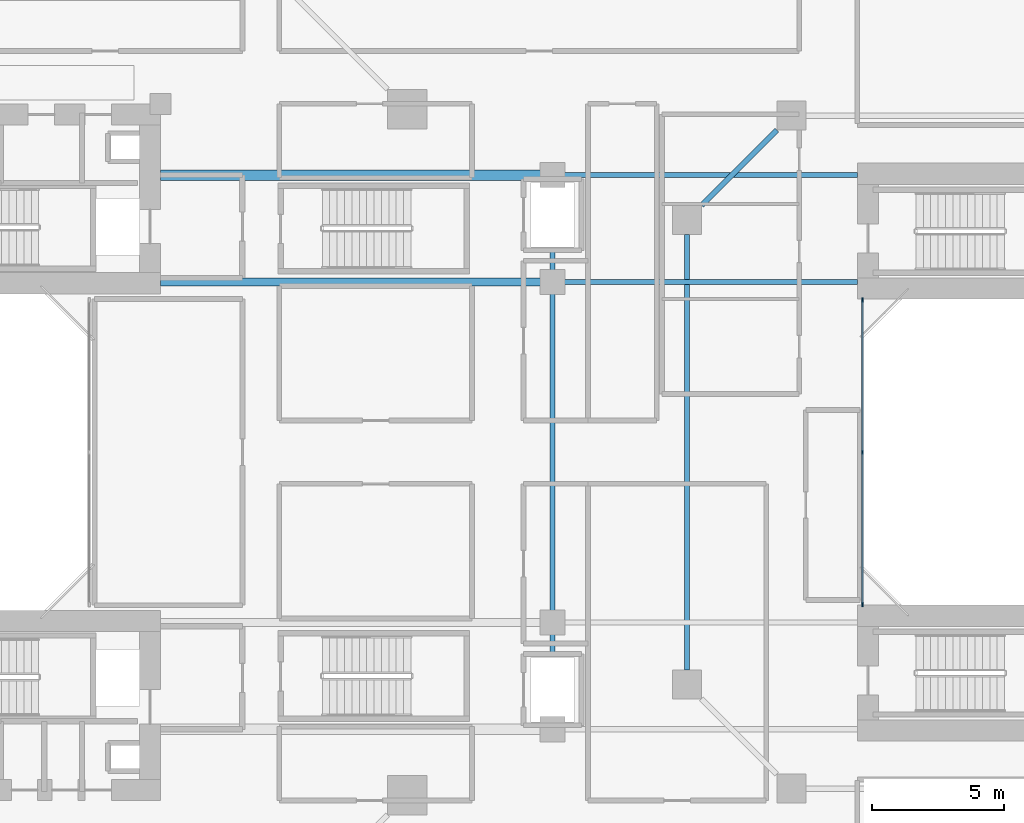
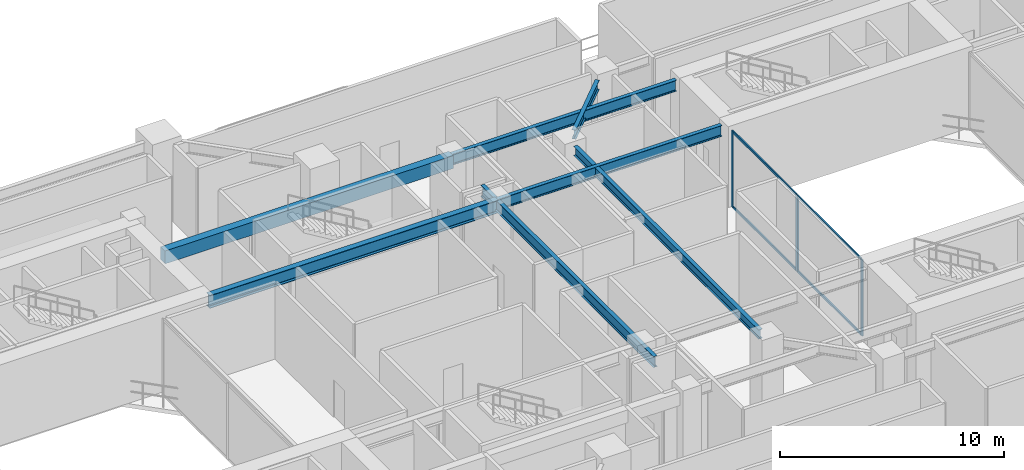
# One storey, part 6 of 20: 7 beams, 7 members, 1 element without a shape of its own.
"""IFC4 building model written with IfcOpenShell, lengths in metres."""

import ifcopenshell
import ifcopenshell.guid

model = None  # the IFC model being written
_history = None  # IfcOwnerHistory: only IFC2X3 demands one
_inside = {}  # id of a spatial element -> (the spatial element, [elements in it])
_under = {}  # id of a project, library or spatial element -> (it, [spatial elements below it])
_declared = {}  # id of a project -> (the project, [libraries it declares])
_typed = {}  # id of a type object -> (the type object, [elements of that type])
_made_of = {}  # id of a material, layer set ... -> (it, [elements and type objects made of it])


def new_model(schema):
    """Start an empty IFC model of exactly this schema.

    Asked for "IFC4X3", IfcOpenShell would pick the latest addendum, in which some entities
    have other attributes; the version numbers below select the first issue.
    IFC2X3 requires an IfcOwnerHistory on every rooted entity: one is made here for all.
    """
    global model, _history
    if schema == "IFC4X3":
        model = ifcopenshell.file(schema_version=(4, 3, 0, 0))
    else:
        model = ifcopenshell.file(schema=schema)
    _inside.clear()
    _under.clear()
    _declared.clear()
    _typed.clear()
    _made_of.clear()
    _history = None
    if model.schema == "IFC2X3":
        org = make("IfcOrganization", Name="unknown")
        user = make(
            "IfcPersonAndOrganization",
            ThePerson=make("IfcPerson", FamilyName="unknown"),
            TheOrganization=org,
        )
        app = make(
            "IfcApplication",
            ApplicationDeveloper=org,
            Version="unknown",
            ApplicationFullName="unknown",
            ApplicationIdentifier="unknown",
        )
        _history = make(
            "IfcOwnerHistory",
            OwningUser=user,
            OwningApplication=app,
            ChangeAction="ADDED",
            CreationDate=0,
        )
    return model


def make(cls, **values):
    """One entity of the class cls with the attributes given. An attribute that is None is left unset."""
    return model.create_entity(
        cls, **{name: value for name, value in values.items() if value is not None}
    )


def rooted(cls, **values):
    """An entity with a GlobalId (a new one), such as an element, a storey or a relation."""
    return make(cls, GlobalId=ifcopenshell.guid.new(), OwnerHistory=_history, **values)


def si_unit(unit_type, name, prefix=None):
    """IfcSIUnit, for example si_unit("LENGTHUNIT", "METRE", prefix="MILLI")."""
    return make("IfcSIUnit", UnitType=unit_type, Prefix=prefix, Name=name)


def assignment(units):
    """IfcUnitAssignment: the units of a project."""
    return None if units is None else make("IfcUnitAssignment", Units=units)


def point(xyz):
    """IfcCartesianPoint."""
    return None if xyz is None else make("IfcCartesianPoint", Coordinates=xyz)


def direction(xyz):
    """IfcDirection."""
    return None if xyz is None else make("IfcDirection", DirectionRatios=xyz)


def frame(location, z_axis=None, x_axis=None):
    """IfcAxis2Placement3D, a coordinate frame: its origin and axes. An axis left out is left unset."""
    return make(
        "IfcAxis2Placement3D",
        Location=point(location),
        Axis=direction(z_axis),
        RefDirection=direction(x_axis),
    )


def frame_2d(location, x_axis=None):
    """IfcAxis2Placement2D, a coordinate frame in the plane: its origin and x axis."""
    return make(
        "IfcAxis2Placement2D", Location=point(location), RefDirection=direction(x_axis)
    )


def origin():
    """The frame at (0, 0, 0) with its axes left unset."""
    return frame((0.0, 0.0, 0.0))


def origin_2d():
    """The frame at (0, 0) in the plane with its x axis left unset."""
    return frame_2d((0.0, 0.0))


def place(relative_to, where):
    """IfcLocalPlacement: puts the frame where relative to a parent placement (None: the world)."""
    return make(
        "IfcLocalPlacement", PlacementRelTo=relative_to, RelativePlacement=where
    )


def context(
    kind, dimensions, precision=None, world=None, true_north=None, identifier=None
):
    """IfcGeometricRepresentationContext, for example the 3D "Model" context."""
    return make(
        "IfcGeometricRepresentationContext",
        ContextIdentifier=identifier,
        ContextType=kind,
        CoordinateSpaceDimension=dimensions,
        Precision=precision,
        WorldCoordinateSystem=world,
        TrueNorth=true_north,
    )


def subcontext(parent, identifier, kind, view, scale=None):
    """IfcGeometricRepresentationSubContext, for example "Body" below "Model"."""
    return make(
        "IfcGeometricRepresentationSubContext",
        ContextIdentifier=identifier,
        ContextType=kind,
        ParentContext=parent,
        TargetScale=scale,
        TargetView=view,
    )


def project(units=None, contexts=None):
    """IfcProject with its units and contexts."""
    return rooted(
        "IfcProject",
        Name="project",
        RepresentationContexts=contexts,
        UnitsInContext=assignment(units),
    )


def spatial(cls, under=None, at=None, **own):
    """A site, building, storey or space (cls), placed at a placement, below another one or the project."""
    s = rooted(cls, ObjectPlacement=at, **own)
    if under is not None:
        _under.setdefault(under.id(), (under, []))[1].append(s)
    return s


def profile(cls, at=None, kind="AREA", **sizes):
    """A parametric profile (cls). Its sizes go by their IFC names, for example OverallWidth=200.0."""
    return make(cls, ProfileType=kind, Position=at, **sizes)


def rectangle(**sizes):
    """IfcRectangleProfileDef."""
    return profile("IfcRectangleProfileDef", **sizes)


def i_section(**sizes):
    """IfcIShapeProfileDef."""
    return profile("IfcIShapeProfileDef", **sizes)


def extrude(swept, where, along, depth):
    """IfcExtrudedAreaSolid: the profile swept, set in the frame where, extruded along a direction by depth."""
    return make(
        "IfcExtrudedAreaSolid",
        SweptArea=swept,
        Position=where,
        ExtrudedDirection=direction(along),
        Depth=depth,
    )


def shape(context_of_items, identifier, shape_type, items):
    """IfcShapeRepresentation: the items that make up one representation, for example the "Body"."""
    return make(
        "IfcShapeRepresentation",
        ContextOfItems=context_of_items,
        RepresentationIdentifier=identifier,
        RepresentationType=shape_type,
        Items=items,
    )


def source(mapping_origin, context_of_items, identifier, shape_type, items):
    """IfcRepresentationMap: a shape defined once, which mapped items show again and again."""
    return make(
        "IfcRepresentationMap",
        MappingOrigin=mapping_origin,
        MappedRepresentation=shape(context_of_items, identifier, shape_type, items),
    )


def transform(
    local_origin,
    x_axis=None,
    y_axis=None,
    z_axis=None,
    scale=None,
    scale2=None,
    scale3=None,
    uniform=True,
):
    """IfcCartesianTransformationOperator3D, or its non-uniform kind. x_axis, y_axis, z_axis: its Axis1, 2, 3."""
    if uniform:
        return make(
            "IfcCartesianTransformationOperator3D",
            Axis1=direction(x_axis),
            Axis2=direction(y_axis),
            LocalOrigin=point(local_origin),
            Scale=scale,
            Axis3=direction(z_axis),
        )
    return make(
        "IfcCartesianTransformationOperator3DnonUniform",
        Axis1=direction(x_axis),
        Axis2=direction(y_axis),
        LocalOrigin=point(local_origin),
        Scale=scale,
        Axis3=direction(z_axis),
        Scale2=scale2,
        Scale3=scale3,
    )


def mapped(mapping_source, mapping_target):
    """IfcMappedItem: shows the shape of a source again, moved by a transform."""
    return make(
        "IfcMappedItem", MappingSource=mapping_source, MappingTarget=mapping_target
    )


def material(Name=None, Category=None):
    """IfcMaterial."""
    return make("IfcMaterial", Name=Name, Category=Category)


def layer(
    of_material, thickness, ventilated=None, Name=None, Category=None, Priority=None
):
    """IfcMaterialLayer: one layer of a wall or slab, of a material (None: an air gap)."""
    return make(
        "IfcMaterialLayer",
        Material=of_material,
        LayerThickness=thickness,
        IsVentilated=ventilated,
        Name=Name,
        Category=Category,
        Priority=Priority,
    )


def layer_set(layers, Name=None):
    """IfcMaterialLayerSet."""
    return make("IfcMaterialLayerSet", MaterialLayers=layers, LayerSetName=Name)


def material_profile(
    of_material, cross_section, Name=None, Category=None, Priority=None
):
    """IfcMaterialProfile: a cross section and its material."""
    return make(
        "IfcMaterialProfile",
        Name=Name,
        Material=of_material,
        Profile=cross_section,
        Priority=Priority,
        Category=Category,
    )


def profile_set(profiles, Name=None, composite=None):
    """IfcMaterialProfileSet."""
    return make(
        "IfcMaterialProfileSet",
        Name=Name,
        MaterialProfiles=profiles,
        CompositeProfile=composite,
    )


def made_of(thing, what):
    """Note that an element or type object is made of a material, layer set ...; save() writes the relation."""
    if what is not None:
        _made_of.setdefault(what.id(), (what, []))[1].append(thing)
    return thing


def type_object(cls, material=None, **own):
    """A type object (cls), such as IfcWallType, which elements share."""
    return made_of(rooted(cls, **own), material)


def element(
    cls,
    number,
    at=None,
    inside=None,
    cuts=None,
    type_object=None,
    material=None,
    context=None,
    identifier="Body",
    shape_type=None,
    held_by="IfcProductDefinitionShape",
    body=None,
    shapes=None,
    **own,
):
    """One element of the class cls, such as IfcWall. Its Tag is "e" and its number.

    at: its placement. inside: the storey or other place that contains it. cuts: it is an
    opening in that element (IfcRelVoidsElement). A single representation is given by context,
    identifier, shape_type and body (its items); several are given by shapes. held_by: the class
    of the entity that holds the representations. save() writes the other relations.
    """
    e = rooted(cls, Tag="e%d" % number, ObjectPlacement=at, **own)
    if body is not None:
        shapes = [shape(context, identifier, shape_type, body)]
    if shapes is not None:
        e.Representation = make(held_by, Representations=shapes)
    if inside is not None:
        _inside.setdefault(inside.id(), (inside, []))[1].append(e)
    if cuts is not None:
        rooted(
            "IfcRelVoidsElement", RelatingBuildingElement=cuts, RelatedOpeningElement=e
        )
    if type_object is not None:
        _typed.setdefault(type_object.id(), (type_object, []))[1].append(e)
    return made_of(e, material)


def aggregate(whole, parts):
    """IfcRelAggregates: a whole, such as a stair, and the parts it consists of."""
    return rooted("IfcRelAggregates", RelatingObject=whole, RelatedObjects=parts)


def save(model, path):
    """Write the relations noted so far, then the file.

    IfcRelAggregates (storeys below a building ...), IfcRelContainedInSpatialStructure (elements
    in a storey), IfcRelDefinesByType, IfcRelAssociatesMaterial and IfcRelDeclares: one each for
    every whole, place, type object, material and project.
    """
    for whole, parts in _under.values():
        aggregate(whole, parts)
    for where, things in _inside.values():
        rooted(
            "IfcRelContainedInSpatialStructure",
            RelatedElements=things,
            RelatingStructure=where,
        )
    for kind, things in _typed.values():
        rooted("IfcRelDefinesByType", RelatedObjects=things, RelatingType=kind)
    for what, things in _made_of.values():
        rooted("IfcRelAssociatesMaterial", RelatedObjects=things, RelatingMaterial=what)
    for by, libraries in _declared.values():
        rooted("IfcRelDeclares", RelatingContext=by, RelatedDefinitions=libraries)
    model.write(path)


model = new_model("IFC4")

# Units and contexts
model_context = context("Model", 3, precision=1e-05, world=origin(), true_north=direction((0.0, 1.0)))
body_context = subcontext(model_context, "Body", "Model", "MODEL_VIEW")
ifc_project = project(units=[si_unit("LENGTHUNIT", "METRE"), si_unit("AREAUNIT", "SQUARE_METRE"), si_unit("VOLUMEUNIT", "CUBIC_METRE"), si_unit("PLANEANGLEUNIT", "RADIAN"), si_unit("MASSUNIT", "GRAM", prefix="KILO"), si_unit("THERMODYNAMICTEMPERATUREUNIT", "KELVIN"), si_unit("POWERUNIT", "WATT")], contexts=[model_context])

# Site, building, storey
site_placement = place(None, origin())
site = spatial("IfcSite", under=ifc_project, at=site_placement, CompositionType="ELEMENT")
building_placement = place(site_placement, origin())
building = spatial("IfcBuilding", under=site, at=building_placement, Name="Qiaomeng Ring Towers", CompositionType="ELEMENT")
storey_placement = place(building_placement, frame((0.0, 0.0, 13.800048828125)))
storey = spatial("IfcBuildingStorey", under=building, at=storey_placement, Name="L03", CompositionType="ELEMENT", Elevation=13.800048828125)

# Beams
ifc_material_1 = material(Name="Steel Q355B", Category="steel")
ifc_material_profile_1 = material_profile(ifc_material_1, i_section(OverallWidth=0.199951171875, OverallDepth=0.5, WebThickness=0.010009765625, FlangeThickness=0.01611328125, FilletRadius=0.02001953125, at=origin_2d()), Name="HN 500x200x10x16")
ifc_profile_set_1 = profile_set([ifc_material_profile_1], Name="Steel Q355B")
beam_type_1 = type_object("IfcBeamType", Name="STR-BM-HN500", PredefinedType="BEAM", material=ifc_profile_set_1)
shared_shape_1 = source(origin(), body_context, "Body", "SweptSolid", [
    extrude(i_section(OverallWidth=0.199951171875, OverallDepth=0.5, WebThickness=0.010009765625, FlangeThickness=0.01611328125, FilletRadius=0.02001953125, at=origin_2d()), origin(), (0.0, 0.0, 1.0), 4.032470703125),
])
beam_1_placement = place(storey_placement, frame((51.150634765625, 35.20068359375, 3.89990234375), z_axis=(-0.707106781187, -0.707106781187, 0.0), x_axis=(0.707106781187, -0.707106781187, 0.0)))
element("IfcBeam", 1, at=beam_1_placement, inside=storey, type_object=beam_type_1, Name="L03 beam STR-SP-L03-T2-6", PredefinedType="BEAM", context=body_context, shape_type="MappedRepresentation", body=[
    mapped(shared_shape_1, transform((0.0, 0.0, 0.0), x_axis=(1.0, 0.0, 0.0), y_axis=(0.0, 1.0, 0.0), z_axis=(0.0, 0.0, 1.0), scale=1.0)),
])
shared_shape_2 = source(origin(), body_context, "Body", "SweptSolid", [
    extrude(i_section(OverallWidth=0.199951171875, OverallDepth=0.5, WebThickness=0.010009765625, FlangeThickness=0.01611328125, FilletRadius=0.02001953125, at=origin_2d()), origin(), (0.0, 0.0, 1.0), 16.501953125),
])
beam_2_placement = place(storey_placement, frame((47.75, 14.7490234375, 3.89990234375), z_axis=(0.0, 1.0, 0.0), x_axis=(-1.0, 0.0, 0.0)))
element("IfcBeam", 2, at=beam_2_placement, inside=storey, type_object=beam_type_1, Name="L03 beam STR-SP-L03-T2-7", PredefinedType="BEAM", context=body_context, shape_type="MappedRepresentation", body=[
    mapped(shared_shape_2, transform((0.0, 0.0, 0.0), x_axis=(1.0, 0.0, 0.0), y_axis=(0.0, 1.0, 0.0), z_axis=(0.0, 0.0, 1.0), scale=1.0)),
])
ifc_material_profile_2 = material_profile(ifc_material_1, i_section(OverallWidth=0.199951171875, OverallDepth=0.60009765625, WebThickness=0.010986328125, FlangeThickness=0.01708984375, FilletRadius=0.02197265625, at=origin_2d()), Name="HN 600x200x11x17")
ifc_profile_set_2 = profile_set([ifc_material_profile_2], Name="Steel Q355B")
beam_type_2 = type_object("IfcBeamType", Name="STR-BM-HN600", PredefinedType="BEAM", material=ifc_profile_set_2)
shared_shape_3 = source(origin(), body_context, "Body", "SweptSolid", [
    extrude(i_section(OverallWidth=0.199951171875, OverallDepth=0.60009765625, WebThickness=0.010986328125, FlangeThickness=0.01708984375, FilletRadius=0.02197265625, at=origin_2d()), origin(), (0.0, 0.0, 1.0), 15.39990234375),
])
beam_3_placement = place(storey_placement, frame((42.64990234375, 15.300048828125, 3.849853515625), z_axis=(0.0, 1.0, 0.0), x_axis=(-1.0, 0.0, 0.0)))
element("IfcBeam", 3, at=beam_3_placement, inside=storey, type_object=beam_type_2, Name="L03 beam STR-BM-L03-THROAT-N", PredefinedType="BEAM", context=body_context, shape_type="MappedRepresentation", body=[
    mapped(shared_shape_3, transform((0.0, 0.0, 0.0), x_axis=(1.0, 0.0, 0.0), y_axis=(0.0, 1.0, 0.0), z_axis=(0.0, 0.0, 1.0), scale=1.0)),
])
shared_shape_4 = source(origin(), body_context, "Body", "SweptSolid", [
    extrude(i_section(OverallWidth=0.199951171875, OverallDepth=0.60009765625, WebThickness=0.010986328125, FlangeThickness=0.01708984375, FilletRadius=0.02197265625, at=origin_2d()), origin(), (0.0, 0.0, 1.0), 11.550048828125),
])
for number, where, z_axis, x_axis, name in (
    (4, (42.64990234375, 29.449951171875, 3.849853515625), (1.0, 0.0, 0.0), (0.0, 1.0, 0.0), "L03 beam STR-BM-L03-M2-2"),
    (5, (42.64990234375, 33.5, 3.849853515625), (1.0, 0.0, 0.0), (0.0, 1.0, 0.0), "L03 beam STR-BM-L03-M2-3"),
):
    element("IfcBeam", number, at=place(storey_placement, frame(where, z_axis=z_axis, x_axis=x_axis)), inside=storey, type_object=beam_type_2, Name=name, PredefinedType="BEAM", context=body_context, shape_type="MappedRepresentation", body=[
        mapped(shared_shape_4, transform((0.0, 0.0, 0.0), x_axis=(1.0, 0.0, 0.0), y_axis=(0.0, 1.0, 0.0), z_axis=(0.0, 0.0, 1.0), scale=1.0)),
    ])
ifc_material_profile_3 = material_profile(ifc_material_1, i_section(OverallWidth=0.300048828125, OverallDepth=0.699951171875, WebThickness=0.012939453125, FlangeThickness=0.02392578125, FilletRadius=0.02392578125, at=origin_2d()), Name="HN 700x300x13x24")
ifc_profile_set_3 = profile_set([ifc_material_profile_3], Name="Steel Q355B")
beam_type_3 = type_object("IfcBeamType", Name="STR-BM-HN700", PredefinedType="BEAM", material=ifc_profile_set_3)
shared_shape_5 = source(origin(), body_context, "Body", "SweptSolid", [
    extrude(i_section(OverallWidth=0.300048828125, OverallDepth=0.699951171875, WebThickness=0.012939453125, FlangeThickness=0.02392578125, FilletRadius=0.02392578125, at=origin_2d()), origin(), (0.0, 0.0, 1.0), 14.849853515625),
])
beam_4_placement = place(storey_placement, frame((27.800048828125, 29.449951171875, 3.800048828125), z_axis=(1.0, 0.0, 0.0), x_axis=(0.0, 1.0, 0.0)))
element("IfcBeam", 6, at=beam_4_placement, inside=storey, type_object=beam_type_3, Name="L03 beam STR-BM-L03-M1-2", PredefinedType="BEAM", context=body_context, shape_type="MappedRepresentation", body=[
    mapped(shared_shape_5, transform((0.0, 0.0, 0.0), x_axis=(1.0, 0.0, 0.0), y_axis=(0.0, 1.0, 0.0), z_axis=(0.0, 0.0, 1.0), scale=1.0)),
])
ifc_material_2 = material(Name="Concrete C40", Category="concrete")
ifc_material_profile_4 = material_profile(ifc_material_2, rectangle(XDim=0.39990234375, YDim=0.699951171875, at=origin_2d()), Name="RC BM 400x700")
ifc_profile_set_4 = profile_set([ifc_material_profile_4], Name="Concrete C40")
beam_type_4 = type_object("IfcBeamType", Name="STR-BM-RC700", PredefinedType="LINTEL", material=ifc_profile_set_4)
shared_shape_6 = source(origin(), body_context, "Body", "SweptSolid", [
    extrude(rectangle(XDim=0.39990234375, YDim=0.699951171875, at=origin_2d()), origin(), (0.0, 0.0, 1.0), 14.849853515625),
])
beam_5_placement = place(storey_placement, frame((27.800048828125, 33.5, 3.800048828125), z_axis=(1.0, 0.0, 0.0), x_axis=(0.0, 1.0, 0.0)))
element("IfcBeam", 7, at=beam_5_placement, inside=storey, type_object=beam_type_4, Name="L03 beam STR-CB-L03-T1N", PredefinedType="LINTEL", context=body_context, shape_type="MappedRepresentation", body=[
    mapped(shared_shape_6, transform((0.0, 0.0, 0.0), x_axis=(1.0, 0.0, 0.0), y_axis=(0.0, 1.0, 0.0), z_axis=(0.0, 0.0, 1.0), scale=1.0)),
])

# Curtain wall, members
ifc_material_3 = material(Name="Fluorocarbon dark-grey aluminium", Category="aluminium")
ifc_layer = layer(ifc_material_3, 0.139892578125, Name="Fluorocarbon dark-grey aluminium")
ifc_layer_set = layer_set([ifc_layer], Name="Fluorocarbon dark-grey aluminium")
curtain_wall_type = type_object("IfcCurtainWallType", Name="ARC-CW-4", PredefinedType="NOTDEFINED", material=ifc_layer_set)
curtain_wall_placement = place(storey_placement, origin())
curtain_wall = element("IfcCurtainWall", 8, at=curtain_wall_placement, inside=storey, type_object=curtain_wall_type, Name="L03 Curtain Wall CW4", PredefinedType="NOTDEFINED")
ifc_material_profile_5 = material_profile(ifc_material_3, rectangle(XDim=0.06494140625, YDim=0.1298828125, at=origin_2d()), Name="ALU TRAN 65x130")
ifc_profile_set_5 = profile_set([ifc_material_profile_5], Name="Fluorocarbon dark-grey aluminium")
member_type_1 = type_object("IfcMemberType", Name="ARC-CWT-120", PredefinedType="USERDEFINED", material=ifc_profile_set_5)
shared_shape_7 = source(origin(), body_context, "Body", "SweptSolid", [
    extrude(rectangle(XDim=0.06494140625, YDim=0.1298828125, at=origin_2d()), origin(), (0.0, 0.0, 1.0), 5.70263671875),
])
member_1_placement = place(storey_placement, frame((54.39990234375, 17.264892578125, 0.032470703125), z_axis=(0.0, 1.0, 0.0), x_axis=(-1.0, 0.0, 0.0)))
member_1 = element("IfcMember", 9, at=member_1_placement, type_object=member_type_1, Name="CW4 transom 1.1", ObjectType="TRANSOM", PredefinedType="USERDEFINED", context=body_context, shape_type="MappedRepresentation", body=[
    mapped(shared_shape_7, transform((0.0, 0.0, 0.0), x_axis=(1.0, 0.0, 0.0), y_axis=(0.0, 1.0, 0.0), z_axis=(0.0, 0.0, 1.0), scale=1.0)),
])
member_2_placement = place(storey_placement, frame((54.39990234375, 17.264892578125, 4.117431640625), z_axis=(0.0, 1.0, 0.0), x_axis=(-1.0, 0.0, 0.0)))
member_2 = element("IfcMember", 10, at=member_2_placement, type_object=member_type_1, Name="CW4 transom 1.2", ObjectType="TRANSOM", PredefinedType="USERDEFINED", context=body_context, shape_type="MappedRepresentation", body=[
    mapped(shared_shape_7, transform((0.0, 0.0, 0.0), x_axis=(1.0, 0.0, 0.0), y_axis=(0.0, 1.0, 0.0), z_axis=(0.0, 0.0, 1.0), scale=1.0)),
])
member_3_placement = place(storey_placement, frame((54.39990234375, 23.032470703125, 0.032470703125), z_axis=(0.0, 1.0, 0.0), x_axis=(-1.0, 0.0, 0.0)))
member_3 = element("IfcMember", 11, at=member_3_placement, type_object=member_type_1, Name="CW4 transom 2.1", ObjectType="TRANSOM", PredefinedType="USERDEFINED", context=body_context, shape_type="MappedRepresentation", body=[
    mapped(shared_shape_7, transform((0.0, 0.0, 0.0), x_axis=(1.0, 0.0, 0.0), y_axis=(0.0, 1.0, 0.0), z_axis=(0.0, 0.0, 1.0), scale=1.0)),
])
member_4_placement = place(storey_placement, frame((54.39990234375, 23.032470703125, 4.117431640625), z_axis=(0.0, 1.0, 0.0), x_axis=(-1.0, 0.0, 0.0)))
member_4 = element("IfcMember", 12, at=member_4_placement, type_object=member_type_1, Name="CW4 transom 2.2", ObjectType="TRANSOM", PredefinedType="USERDEFINED", context=body_context, shape_type="MappedRepresentation", body=[
    mapped(shared_shape_7, transform((0.0, 0.0, 0.0), x_axis=(1.0, 0.0, 0.0), y_axis=(0.0, 1.0, 0.0), z_axis=(0.0, 0.0, 1.0), scale=1.0)),
])
ifc_material_profile_6 = material_profile(ifc_material_3, rectangle(XDim=0.06494140625, YDim=0.159912109375, at=origin_2d()), Name="ALU MULL 65x160")
ifc_profile_set_6 = profile_set([ifc_material_profile_6], Name="Fluorocarbon dark-grey aluminium")
member_type_2 = type_object("IfcMemberType", Name="ARC-CWM-140", PredefinedType="MULLION", material=ifc_profile_set_6)
shared_shape_8 = source(origin(), body_context, "Body", "SweptSolid", [
    extrude(rectangle(XDim=0.06494140625, YDim=0.159912109375, at=origin_2d()), origin(), (0.0, 0.0, 1.0), 4.14990234375),
])
member_5_placement = place(storey_placement, frame((54.39990234375, 17.232421875, 0.0), z_axis=(0.0, 0.0, 1.0), x_axis=(-1.0, 0.0, 0.0)))
member_5 = element("IfcMember", 13, at=member_5_placement, type_object=member_type_2, Name="CW4 mullion 1", PredefinedType="MULLION", context=body_context, shape_type="MappedRepresentation", body=[
    mapped(shared_shape_8, transform((0.0, 0.0, 0.0), x_axis=(1.0, 0.0, 0.0), y_axis=(0.0, 1.0, 0.0), z_axis=(0.0, 0.0, 1.0), scale=1.0)),
])
member_6_placement = place(storey_placement, frame((54.39990234375, 23.0, 0.0), z_axis=(0.0, 0.0, 1.0), x_axis=(-1.0, 0.0, 0.0)))
member_6 = element("IfcMember", 14, at=member_6_placement, type_object=member_type_2, Name="CW4 mullion 2", PredefinedType="MULLION", context=body_context, shape_type="MappedRepresentation", body=[
    mapped(shared_shape_8, transform((0.0, 0.0, 0.0), x_axis=(1.0, 0.0, 0.0), y_axis=(0.0, 1.0, 0.0), z_axis=(0.0, 0.0, 1.0), scale=1.0)),
])
member_7_placement = place(storey_placement, frame((54.39990234375, 28.767578125, 0.0), z_axis=(0.0, 0.0, 1.0), x_axis=(-1.0, 0.0, 0.0)))
member_7 = element("IfcMember", 15, at=member_7_placement, type_object=member_type_2, Name="CW4 mullion 3", PredefinedType="MULLION", context=body_context, shape_type="MappedRepresentation", body=[
    mapped(shared_shape_8, transform((0.0, 0.0, 0.0), x_axis=(1.0, 0.0, 0.0), y_axis=(0.0, 1.0, 0.0), z_axis=(0.0, 0.0, 1.0), scale=1.0)),
])
aggregate(curtain_wall, [member_5, member_6, member_7, member_1, member_2, member_3, member_4])

save(model, "model.ifc")
